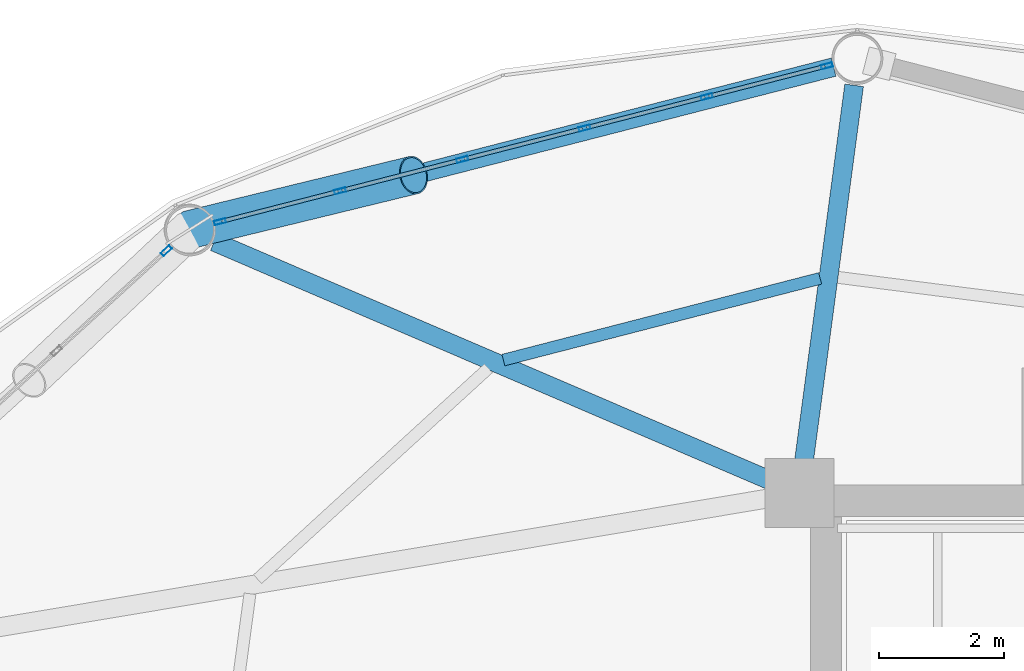
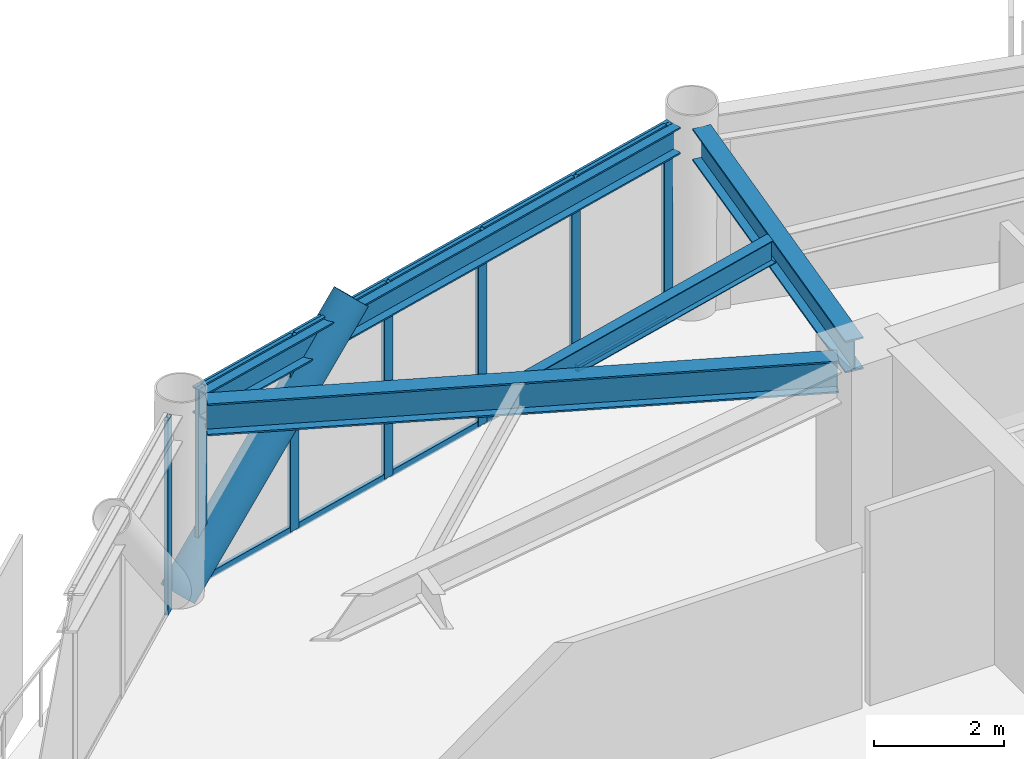
# One storey, part 16 of 24: 18 members, 4 beams, 2 elements without a shape of their own.
"""IFC4 building model written with IfcOpenShell, lengths in metres."""

from ifc_helpers import new_model, si_unit, direction, frame, origin, origin_2d, place, context, subcontext, project, spatial, hollow_rectangle, hollow_circle, i_section, extrude, material, layer, layer_set, material_profile, profile_set, type_object, element, aggregate, save


model = new_model("IFC4")

# Units and contexts
model_context = context("Model", 3, precision=1e-05, world=origin(), true_north=direction((0.0, 1.0)))
body_context = subcontext(model_context, "Body", "Model", "MODEL_VIEW")
ifc_project = project(units=[si_unit("LENGTHUNIT", "METRE"), si_unit("AREAUNIT", "SQUARE_METRE"), si_unit("VOLUMEUNIT", "CUBIC_METRE"), si_unit("PLANEANGLEUNIT", "RADIAN"), si_unit("MASSUNIT", "GRAM", prefix="KILO")], contexts=[model_context])

# Site, building, storey
site_placement = place(None, origin())
site = spatial("IfcSite", under=ifc_project, at=site_placement, CompositionType="ELEMENT")
building_placement = place(site_placement, origin())
building = spatial("IfcBuilding", under=site, at=building_placement, Name="Varnakorn Sky Granary", CompositionType="ELEMENT")
storey_placement = place(building_placement, frame((0.0, 0.0, 111.0)))
storey = spatial("IfcBuildingStorey", under=building, at=storey_placement, Name="L27", CompositionType="ELEMENT", Elevation=111.0)

# Beams
ifc_material_1 = material(Name="Steel S355JR", Category="steel")
ifc_material_profile_1 = material_profile(ifc_material_1, i_section(OverallWidth=0.300048828125, OverallDepth=0.60009765625, WebThickness=0.015380859375, FlangeThickness=0.030029296875, at=origin_2d()), Name="HE 600 B")
ifc_profile_set_1 = profile_set([ifc_material_profile_1], Name="Steel S355JR")
beam_type_1 = type_object("IfcBeamType", Name="BM-RAD-Z2", PredefinedType="BEAM", material=ifc_profile_set_1)
beam_1_placement = place(storey_placement, frame((-2.364501953125, 13.036376953125, 3.340087890625), z_axis=(0.132228763909, 0.991219226001, 0.0), x_axis=(-0.991219226001, 0.132228763909, 0.0)))
element("IfcBeam", 1, at=beam_1_placement, inside=storey, type_object=beam_type_1, Name="Radial Floor Girder RG04 L27", PredefinedType="BEAM", context=body_context, shape_type="SweptSolid", body=[
    extrude(i_section(OverallWidth=0.300048828125, OverallDepth=0.60009765625, WebThickness=0.015380859375, FlangeThickness=0.030029296875, at=origin_2d()), origin(), (0.0, 0.0, 1.0), 6.146484375),
])
beam_2_placement = place(storey_placement, frame((-2.805908203125, 12.78564453125, 3.340087890625), z_axis=(-0.918923378725, 0.394436083583, 0.0), x_axis=(-0.394436083583, -0.918923378725, 0.0)))
element("IfcBeam", 2, at=beam_2_placement, inside=storey, type_object=beam_type_1, Name="Radial Floor Girder RG05 L27", PredefinedType="BEAM", context=body_context, shape_type="SweptSolid", body=[
    extrude(i_section(OverallWidth=0.300048828125, OverallDepth=0.60009765625, WebThickness=0.015380859375, FlangeThickness=0.030029296875, at=origin_2d()), origin(), (0.0, 0.0, 1.0), 9.74853515625),
])
ifc_material_profile_2 = material_profile(ifc_material_1, i_section(OverallWidth=0.18994140625, OverallDepth=0.449951171875, WebThickness=0.009521484375, FlangeThickness=0.0146484375, at=origin_2d()), Name="IPE 450")
ifc_profile_set_2 = profile_set([ifc_material_profile_2], Name="Steel S355JR")
beam_type_2 = type_object("IfcBeamType", Name="BM-SEC-Z2", PredefinedType="BEAM", material=ifc_profile_set_2)
beam_3_placement = place(storey_placement, frame((-2.09375, 16.047607421875, 3.4150390625), z_axis=(-0.968299946874, -0.24979033785, 0.0), x_axis=(0.24979033785, -0.968299946874, 0.0)))
element("IfcBeam", 3, at=beam_3_placement, inside=storey, type_object=beam_type_2, Name="Secondary Floor Chord Beam MSB04 L27", PredefinedType="BEAM", context=body_context, shape_type="SweptSolid", body=[
    extrude(i_section(OverallWidth=0.18994140625, OverallDepth=0.449951171875, WebThickness=0.009521484375, FlangeThickness=0.0146484375, at=origin_2d()), origin(), (0.0, 0.0, 1.0), 5.22119140625),
])
ifc_material_profile_3 = material_profile(ifc_material_1, i_section(OverallWidth=0.300048828125, OverallDepth=0.5, WebThickness=0.014404296875, FlangeThickness=0.028076171875, at=origin_2d()), Name="HE 500 B")
ifc_profile_set_3 = profile_set([ifc_material_profile_3], Name="Steel S355JR")
beam_type_3 = type_object("IfcBeamType", Name="BM-SPD-Z2", PredefinedType="SPANDREL", material=ifc_profile_set_3)
beam_4_placement = place(storey_placement, frame((-1.879150390625, 19.41943359375, 3.389892578125), z_axis=(-0.968499538733, -0.24901534787, 0.0), x_axis=(0.24901534787, -0.968499538733, 0.0)))
element("IfcBeam", 4, at=beam_4_placement, inside=storey, type_object=beam_type_3, Name="Perimeter Spandrel Ring Beam RB04 L27", PredefinedType="SPANDREL", context=body_context, shape_type="SweptSolid", body=[
    extrude(i_section(OverallWidth=0.300048828125, OverallDepth=0.5, WebThickness=0.014404296875, FlangeThickness=0.028076171875, at=origin_2d()), origin(), (0.0, 0.0, 1.0), 10.1865234375),
])

# Curtain wall, members
ifc_material_2 = material(Name="Anodised Bronze Aluminium Alloy 6063-T6", Category="aluminium")
ifc_layer = layer(ifc_material_2, 0.179931640625, Name="Anodised Bronze Aluminium Alloy 6063-T6")
ifc_layer_set = layer_set([ifc_layer], Name="Anodised Bronze Aluminium Alloy 6063-T6")
curtain_wall_type = type_object("IfcCurtainWallType", Name="CW-FRM-2", PredefinedType="USERDEFINED", material=ifc_layer_set)
curtain_wall_1_placement = place(storey_placement, origin())
curtain_wall_1 = element("IfcCurtainWall", 5, at=curtain_wall_1_placement, inside=storey, type_object=curtain_wall_type, Name="Unitised Curtain Wall CW4 CW-L27-B04", ObjectType="CURTAIN WALL", PredefinedType="USERDEFINED")
ifc_material_profile_4 = material_profile(ifc_material_2, hollow_rectangle(XDim=0.070068359375, YDim=0.18505859375, WallThickness=0.00390625, at=origin_2d()), Name="ALU MULL 70x185")
ifc_profile_set_4 = profile_set([ifc_material_profile_4], Name="Anodised Bronze Aluminium Alloy 6063-T6")
member_type_1 = type_object("IfcMemberType", Name="CW-FRM-2-MULL", PredefinedType="MULLION", material=ifc_profile_set_4)
member_1_placement = place(storey_placement, frame((-11.671875, 16.950927734375, 0.0), z_axis=(0.0, 0.0, 1.0), x_axis=(-0.248822553629, 0.968549088485, 0.0)))
member_1 = element("IfcMember", 6, at=member_1_placement, type_object=member_type_1, Name="CW4 mullion 1", PredefinedType="MULLION", context=body_context, shape_type="SweptSolid", body=[
    extrude(hollow_rectangle(XDim=0.070068359375, YDim=0.18505859375, WallThickness=0.00390625, at=origin_2d()), origin(), (0.0, 0.0, 1.0), 3.639892578125),
])
member_2_placement = place(storey_placement, frame((-9.7548828125, 17.443359375, 0.0), z_axis=(0.0, 0.0, 1.0), x_axis=(-0.248822553629, 0.968549088485, 0.0)))
member_2 = element("IfcMember", 7, at=member_2_placement, type_object=member_type_1, Name="CW4 mullion 2", PredefinedType="MULLION", context=body_context, shape_type="SweptSolid", body=[
    extrude(hollow_rectangle(XDim=0.070068359375, YDim=0.18505859375, WallThickness=0.00390625, at=origin_2d()), origin(), (0.0, 0.0, 1.0), 3.639892578125),
])
member_3_placement = place(storey_placement, frame((-7.80419921875, 17.9443359375, 0.0), z_axis=(0.0, 0.0, 1.0), x_axis=(-0.248822553629, 0.968549088485, 0.0)))
member_3 = element("IfcMember", 8, at=member_3_placement, type_object=member_type_1, Name="CW4 mullion 3", PredefinedType="MULLION", context=body_context, shape_type="SweptSolid", body=[
    extrude(hollow_rectangle(XDim=0.070068359375, YDim=0.18505859375, WallThickness=0.00390625, at=origin_2d()), origin(), (0.0, 0.0, 1.0), 3.639892578125),
])
member_4_placement = place(storey_placement, frame((-5.853271484375, 18.445556640625, 0.0), z_axis=(0.0, 0.0, 1.0), x_axis=(-0.248822553629, 0.968549088485, 0.0)))
member_4 = element("IfcMember", 9, at=member_4_placement, type_object=member_type_1, Name="CW4 mullion 4", PredefinedType="MULLION", context=body_context, shape_type="SweptSolid", body=[
    extrude(hollow_rectangle(XDim=0.070068359375, YDim=0.18505859375, WallThickness=0.00390625, at=origin_2d()), origin(), (0.0, 0.0, 1.0), 3.639892578125),
])
member_5_placement = place(storey_placement, frame((-3.902587890625, 18.94677734375, 0.0), z_axis=(0.0, 0.0, 1.0), x_axis=(-0.248822553629, 0.968549088485, 0.0)))
member_5 = element("IfcMember", 10, at=member_5_placement, type_object=member_type_1, Name="CW4 mullion 5", PredefinedType="MULLION", context=body_context, shape_type="SweptSolid", body=[
    extrude(hollow_rectangle(XDim=0.070068359375, YDim=0.18505859375, WallThickness=0.00390625, at=origin_2d()), origin(), (0.0, 0.0, 1.0), 3.639892578125),
])
member_6_placement = place(storey_placement, frame((-1.985595703125, 19.439208984375, 0.0), z_axis=(0.0, 0.0, 1.0), x_axis=(-0.248822553629, 0.968549088485, 0.0)))
member_6 = element("IfcMember", 11, at=member_6_placement, type_object=member_type_1, Name="CW4 mullion 6", PredefinedType="MULLION", context=body_context, shape_type="SweptSolid", body=[
    extrude(hollow_rectangle(XDim=0.070068359375, YDim=0.18505859375, WallThickness=0.00390625, at=origin_2d()), origin(), (0.0, 0.0, 1.0), 3.639892578125),
])

# Curtain wall, member
curtain_wall_2_placement = place(storey_placement, origin())
curtain_wall_2 = element("IfcCurtainWall", 12, at=curtain_wall_2_placement, inside=storey, type_object=curtain_wall_type, Name="Unitised Curtain Wall CW4 CW-L27-B05", ObjectType="CURTAIN WALL", PredefinedType="USERDEFINED")
member_7_placement = place(storey_placement, frame((-12.528076171875, 16.488037109375, 0.0), z_axis=(0.0, 0.0, 1.0), x_axis=(-0.673654386152, 0.739046526287, 0.0)))
member_7 = element("IfcMember", 13, at=member_7_placement, type_object=member_type_1, Name="CW4 mullion 5", PredefinedType="MULLION", context=body_context, shape_type="SweptSolid", body=[
    extrude(hollow_rectangle(XDim=0.070068359375, YDim=0.18505859375, WallThickness=0.00390625, at=origin_2d()), origin(), (0.0, 0.0, 1.0), 3.639892578125),
])
aggregate(curtain_wall_2, [member_7])

# Member
ifc_material_profile_5 = material_profile(ifc_material_2, hollow_rectangle(XDim=0.06494140625, YDim=0.1201171875, WallThickness=0.00341796875, at=origin_2d()), Name="ALU TRAN 65x120")
ifc_profile_set_5 = profile_set([ifc_material_profile_5], Name="Anodised Bronze Aluminium Alloy 6063-T6")
member_type_2 = type_object("IfcMemberType", Name="CW-FRM-2-TRAN", PredefinedType="USERDEFINED", material=ifc_profile_set_5)
member_8_placement = place(storey_placement, frame((-11.637939453125, 16.95947265625, 0.032470703125), z_axis=(0.968542262841, 0.248849121137, 0.0), x_axis=(-0.248849121137, 0.968542262841, 0.0)))
member_8 = element("IfcMember", 14, at=member_8_placement, type_object=member_type_2, Name="CW4 transom 1.1", ObjectType="TRANSOM", PredefinedType="USERDEFINED", context=body_context, shape_type="SweptSolid", body=[
    extrude(hollow_rectangle(XDim=0.06494140625, YDim=0.1201171875, WallThickness=0.00341796875, at=origin_2d()), origin(), (0.0, 0.0, 1.0), 1.9091796875),
])

member_9_placement = place(storey_placement, frame((-11.637939453125, 16.95947265625, 3.607421875), z_axis=(0.968542262841, 0.248849121137, 0.0), x_axis=(-0.248849121137, 0.968542262841, 0.0)))
member_9 = element("IfcMember", 15, at=member_9_placement, type_object=member_type_2, Name="CW4 transom 1.2", ObjectType="TRANSOM", PredefinedType="USERDEFINED", context=body_context, shape_type="SweptSolid", body=[
    extrude(hollow_rectangle(XDim=0.06494140625, YDim=0.1201171875, WallThickness=0.00341796875, at=origin_2d()), origin(), (0.0, 0.0, 1.0), 1.9091796875),
])

member_10_placement = place(storey_placement, frame((-9.720947265625, 17.451904296875, 0.032470703125), z_axis=(0.968525811368, 0.248913142911, 0.0), x_axis=(-0.248913142911, 0.968525811368, 0.0)))
member_10 = element("IfcMember", 16, at=member_10_placement, type_object=member_type_2, Name="CW4 transom 2.1", ObjectType="TRANSOM", PredefinedType="USERDEFINED", context=body_context, shape_type="SweptSolid", body=[
    extrude(hollow_rectangle(XDim=0.06494140625, YDim=0.1201171875, WallThickness=0.00341796875, at=origin_2d()), origin(), (0.0, 0.0, 1.0), 1.944091796875),
])

member_11_placement = place(storey_placement, frame((-9.720947265625, 17.451904296875, 3.607421875), z_axis=(0.968525811368, 0.248913142911, 0.0), x_axis=(-0.248913142911, 0.968525811368, 0.0)))
member_11 = element("IfcMember", 17, at=member_11_placement, type_object=member_type_2, Name="CW4 transom 2.2", ObjectType="TRANSOM", PredefinedType="USERDEFINED", context=body_context, shape_type="SweptSolid", body=[
    extrude(hollow_rectangle(XDim=0.06494140625, YDim=0.1201171875, WallThickness=0.00341796875, at=origin_2d()), origin(), (0.0, 0.0, 1.0), 1.944091796875),
])

member_12_placement = place(storey_placement, frame((-7.770263671875, 17.953125, 0.032470703125), z_axis=(0.968563854018, 0.248765071283, 0.0), x_axis=(-0.248765071283, 0.968563854018, 0.0)))
member_12 = element("IfcMember", 18, at=member_12_placement, type_object=member_type_2, Name="CW4 transom 3.1", ObjectType="TRANSOM", PredefinedType="USERDEFINED", context=body_context, shape_type="SweptSolid", body=[
    extrude(hollow_rectangle(XDim=0.06494140625, YDim=0.1201171875, WallThickness=0.00341796875, at=origin_2d()), origin(), (0.0, 0.0, 1.0), 1.944091796875),
])

member_13_placement = place(storey_placement, frame((-7.770263671875, 17.953125, 3.607421875), z_axis=(0.968563854018, 0.248765071283, 0.0), x_axis=(-0.248765071283, 0.968563854018, 0.0)))
member_13 = element("IfcMember", 19, at=member_13_placement, type_object=member_type_2, Name="CW4 transom 3.2", ObjectType="TRANSOM", PredefinedType="USERDEFINED", context=body_context, shape_type="SweptSolid", body=[
    extrude(hollow_rectangle(XDim=0.06494140625, YDim=0.1201171875, WallThickness=0.00341796875, at=origin_2d()), origin(), (0.0, 0.0, 1.0), 1.944091796875),
])

member_14_placement = place(storey_placement, frame((-5.819580078125, 18.454345703125, 0.032470703125), z_axis=(0.968563854018, 0.248765071283, 0.0), x_axis=(-0.248765071283, 0.968563854018, 0.0)))
member_14 = element("IfcMember", 20, at=member_14_placement, type_object=member_type_2, Name="CW4 transom 4.1", ObjectType="TRANSOM", PredefinedType="USERDEFINED", context=body_context, shape_type="SweptSolid", body=[
    extrude(hollow_rectangle(XDim=0.06494140625, YDim=0.1201171875, WallThickness=0.00341796875, at=origin_2d()), origin(), (0.0, 0.0, 1.0), 1.944091796875),
])

member_15_placement = place(storey_placement, frame((-5.819580078125, 18.454345703125, 3.607421875), z_axis=(0.968563854018, 0.248765071283, 0.0), x_axis=(-0.248765071283, 0.968563854018, 0.0)))
member_15 = element("IfcMember", 21, at=member_15_placement, type_object=member_type_2, Name="CW4 transom 4.2", ObjectType="TRANSOM", PredefinedType="USERDEFINED", context=body_context, shape_type="SweptSolid", body=[
    extrude(hollow_rectangle(XDim=0.06494140625, YDim=0.1201171875, WallThickness=0.00341796875, at=origin_2d()), origin(), (0.0, 0.0, 1.0), 1.944091796875),
])

member_16_placement = place(storey_placement, frame((-3.86865234375, 18.95556640625, 0.032470703125), z_axis=(0.96857307748, 0.248729157077, 0.0), x_axis=(-0.248729157077, 0.96857307748, 0.0)))
member_16 = element("IfcMember", 22, at=member_16_placement, type_object=member_type_2, Name="CW4 transom 5.1", ObjectType="TRANSOM", PredefinedType="USERDEFINED", context=body_context, shape_type="SweptSolid", body=[
    extrude(hollow_rectangle(XDim=0.06494140625, YDim=0.1201171875, WallThickness=0.00341796875, at=origin_2d()), origin(), (0.0, 0.0, 1.0), 1.9091796875),
])

member_17_placement = place(storey_placement, frame((-3.86865234375, 18.95556640625, 3.607421875), z_axis=(0.96857307748, 0.248729157077, 0.0), x_axis=(-0.248729157077, 0.96857307748, 0.0)))
member_17 = element("IfcMember", 23, at=member_17_placement, type_object=member_type_2, Name="CW4 transom 5.2", ObjectType="TRANSOM", PredefinedType="USERDEFINED", context=body_context, shape_type="SweptSolid", body=[
    extrude(hollow_rectangle(XDim=0.06494140625, YDim=0.1201171875, WallThickness=0.00341796875, at=origin_2d()), origin(), (0.0, 0.0, 1.0), 1.9091796875),
])

aggregate(curtain_wall_1, [member_1, member_2, member_3, member_4, member_5, member_6, member_8, member_9, member_10, member_11, member_12, member_13, member_14, member_15, member_16, member_17])

ifc_material_3 = material(Name="Steel S460M", Category="steel")
ifc_material_profile_6 = material_profile(ifc_material_3, hollow_circle(Radius=0.304931640625, WallThickness=0.022216796875, at=origin_2d()), Name="CHS 610x22")
ifc_profile_set_6 = profile_set([ifc_material_profile_6], Name="Steel S460M")
member_type_3 = type_object("IfcMemberType", Name="MB-DIAG-T1", PredefinedType="BRACE", material=ifc_profile_set_6)
member_18_placement = place(storey_placement, frame((-12.157470703125, 16.825927734375, 0.0), z_axis=(0.676770504624, 0.164686061192, 0.717537584605), x_axis=(-0.236441324563, 0.971645768806, 0.0)))
element("IfcMember", 24, at=member_18_placement, inside=storey, type_object=member_type_3, Name="Perimeter CHS Diagrid Brace DG04 L27", PredefinedType="BRACE", context=body_context, shape_type="SweptSolid", body=[
    extrude(hollow_circle(Radius=0.304931640625, WallThickness=0.022216796875, at=origin_2d()), origin(), (0.0, 0.0, 1.0), 5.281982421875),
])

save(model, "model.ifc")
